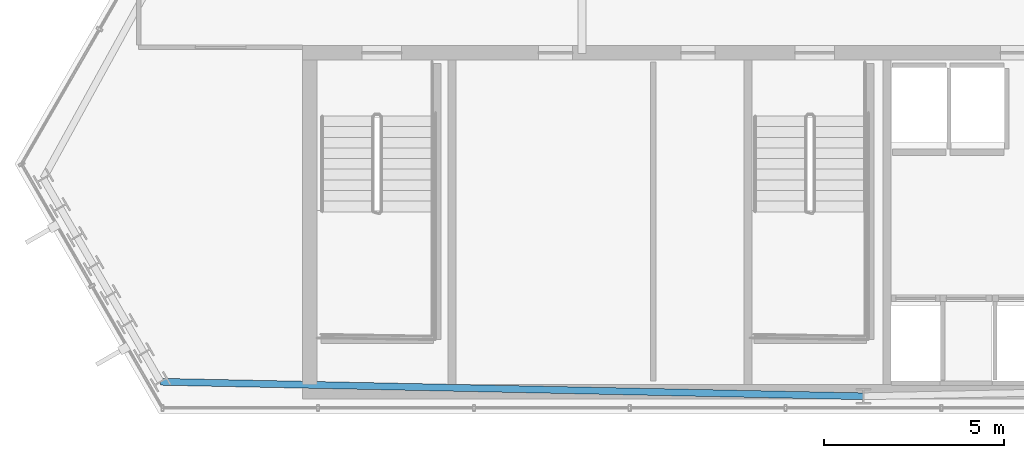
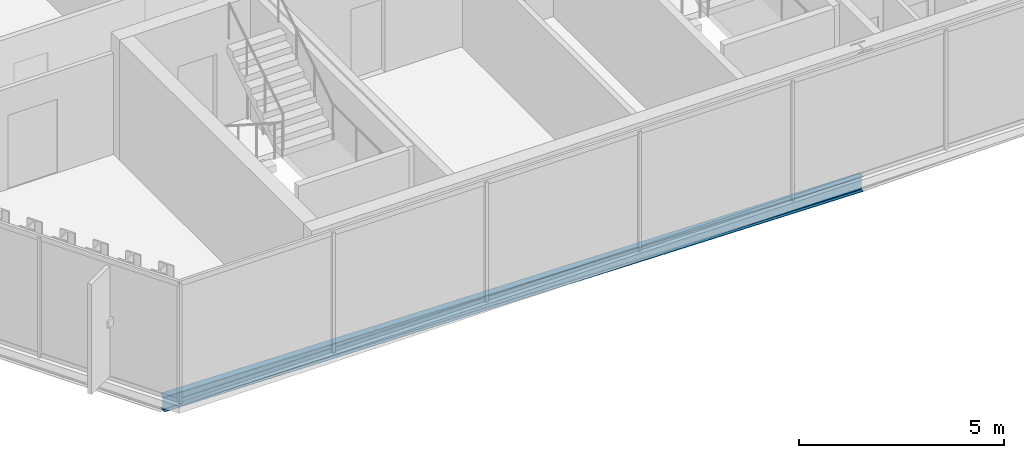
# One storey, part 3 of 30: 1 beam.
"""IFC4 building model written with IfcOpenShell, lengths in metres."""

import ifcopenshell
import ifcopenshell.guid

model = None  # the IFC model being written
_history = None  # IfcOwnerHistory: only IFC2X3 demands one
_inside = {}  # id of a spatial element -> (the spatial element, [elements in it])
_under = {}  # id of a project, library or spatial element -> (it, [spatial elements below it])
_declared = {}  # id of a project -> (the project, [libraries it declares])
_typed = {}  # id of a type object -> (the type object, [elements of that type])
_made_of = {}  # id of a material, layer set ... -> (it, [elements and type objects made of it])


def new_model(schema):
    """Start an empty IFC model of exactly this schema.

    Asked for "IFC4X3", IfcOpenShell would pick the latest addendum, in which some entities
    have other attributes; the version numbers below select the first issue.
    IFC2X3 requires an IfcOwnerHistory on every rooted entity: one is made here for all.
    """
    global model, _history
    if schema == "IFC4X3":
        model = ifcopenshell.file(schema_version=(4, 3, 0, 0))
    else:
        model = ifcopenshell.file(schema=schema)
    _inside.clear()
    _under.clear()
    _declared.clear()
    _typed.clear()
    _made_of.clear()
    _history = None
    if model.schema == "IFC2X3":
        org = make("IfcOrganization", Name="unknown")
        user = make(
            "IfcPersonAndOrganization",
            ThePerson=make("IfcPerson", FamilyName="unknown"),
            TheOrganization=org,
        )
        app = make(
            "IfcApplication",
            ApplicationDeveloper=org,
            Version="unknown",
            ApplicationFullName="unknown",
            ApplicationIdentifier="unknown",
        )
        _history = make(
            "IfcOwnerHistory",
            OwningUser=user,
            OwningApplication=app,
            ChangeAction="ADDED",
            CreationDate=0,
        )
    return model


def make(cls, **values):
    """One entity of the class cls with the attributes given. An attribute that is None is left unset."""
    return model.create_entity(
        cls, **{name: value for name, value in values.items() if value is not None}
    )


def rooted(cls, **values):
    """An entity with a GlobalId (a new one), such as an element, a storey or a relation."""
    return make(cls, GlobalId=ifcopenshell.guid.new(), OwnerHistory=_history, **values)


def si_unit(unit_type, name, prefix=None):
    """IfcSIUnit, for example si_unit("LENGTHUNIT", "METRE", prefix="MILLI")."""
    return make("IfcSIUnit", UnitType=unit_type, Prefix=prefix, Name=name)


def assignment(units):
    """IfcUnitAssignment: the units of a project."""
    return None if units is None else make("IfcUnitAssignment", Units=units)


def point(xyz):
    """IfcCartesianPoint."""
    return None if xyz is None else make("IfcCartesianPoint", Coordinates=xyz)


def direction(xyz):
    """IfcDirection."""
    return None if xyz is None else make("IfcDirection", DirectionRatios=xyz)


def frame(location, z_axis=None, x_axis=None):
    """IfcAxis2Placement3D, a coordinate frame: its origin and axes. An axis left out is left unset."""
    return make(
        "IfcAxis2Placement3D",
        Location=point(location),
        Axis=direction(z_axis),
        RefDirection=direction(x_axis),
    )


def frame_2d(location, x_axis=None):
    """IfcAxis2Placement2D, a coordinate frame in the plane: its origin and x axis."""
    return make(
        "IfcAxis2Placement2D", Location=point(location), RefDirection=direction(x_axis)
    )


def origin():
    """The frame at (0, 0, 0) with its axes left unset."""
    return frame((0.0, 0.0, 0.0))


def origin_2d():
    """The frame at (0, 0) in the plane with its x axis left unset."""
    return frame_2d((0.0, 0.0))


def place(relative_to, where):
    """IfcLocalPlacement: puts the frame where relative to a parent placement (None: the world)."""
    return make(
        "IfcLocalPlacement", PlacementRelTo=relative_to, RelativePlacement=where
    )


def context(
    kind, dimensions, precision=None, world=None, true_north=None, identifier=None
):
    """IfcGeometricRepresentationContext, for example the 3D "Model" context."""
    return make(
        "IfcGeometricRepresentationContext",
        ContextIdentifier=identifier,
        ContextType=kind,
        CoordinateSpaceDimension=dimensions,
        Precision=precision,
        WorldCoordinateSystem=world,
        TrueNorth=true_north,
    )


def subcontext(parent, identifier, kind, view, scale=None):
    """IfcGeometricRepresentationSubContext, for example "Body" below "Model"."""
    return make(
        "IfcGeometricRepresentationSubContext",
        ContextIdentifier=identifier,
        ContextType=kind,
        ParentContext=parent,
        TargetScale=scale,
        TargetView=view,
    )


def project(units=None, contexts=None):
    """IfcProject with its units and contexts."""
    return rooted(
        "IfcProject",
        Name="project",
        RepresentationContexts=contexts,
        UnitsInContext=assignment(units),
    )


def spatial(cls, under=None, at=None, **own):
    """A site, building, storey or space (cls), placed at a placement, below another one or the project."""
    s = rooted(cls, ObjectPlacement=at, **own)
    if under is not None:
        _under.setdefault(under.id(), (under, []))[1].append(s)
    return s


def profile(cls, at=None, kind="AREA", **sizes):
    """A parametric profile (cls). Its sizes go by their IFC names, for example OverallWidth=200.0."""
    return make(cls, ProfileType=kind, Position=at, **sizes)


def i_section(**sizes):
    """IfcIShapeProfileDef."""
    return profile("IfcIShapeProfileDef", **sizes)


def extrude(swept, where, along, depth):
    """IfcExtrudedAreaSolid: the profile swept, set in the frame where, extruded along a direction by depth."""
    return make(
        "IfcExtrudedAreaSolid",
        SweptArea=swept,
        Position=where,
        ExtrudedDirection=direction(along),
        Depth=depth,
    )


def shape(context_of_items, identifier, shape_type, items):
    """IfcShapeRepresentation: the items that make up one representation, for example the "Body"."""
    return make(
        "IfcShapeRepresentation",
        ContextOfItems=context_of_items,
        RepresentationIdentifier=identifier,
        RepresentationType=shape_type,
        Items=items,
    )


def material(Name=None, Category=None):
    """IfcMaterial."""
    return make("IfcMaterial", Name=Name, Category=Category)


def material_profile(
    of_material, cross_section, Name=None, Category=None, Priority=None
):
    """IfcMaterialProfile: a cross section and its material."""
    return make(
        "IfcMaterialProfile",
        Name=Name,
        Material=of_material,
        Profile=cross_section,
        Priority=Priority,
        Category=Category,
    )


def profile_set(profiles, Name=None, composite=None):
    """IfcMaterialProfileSet."""
    return make(
        "IfcMaterialProfileSet",
        Name=Name,
        MaterialProfiles=profiles,
        CompositeProfile=composite,
    )


def made_of(thing, what):
    """Note that an element or type object is made of a material, layer set ...; save() writes the relation."""
    if what is not None:
        _made_of.setdefault(what.id(), (what, []))[1].append(thing)
    return thing


def type_object(cls, material=None, **own):
    """A type object (cls), such as IfcWallType, which elements share."""
    return made_of(rooted(cls, **own), material)


def element(
    cls,
    number,
    at=None,
    inside=None,
    cuts=None,
    type_object=None,
    material=None,
    context=None,
    identifier="Body",
    shape_type=None,
    held_by="IfcProductDefinitionShape",
    body=None,
    shapes=None,
    **own,
):
    """One element of the class cls, such as IfcWall. Its Tag is "e" and its number.

    at: its placement. inside: the storey or other place that contains it. cuts: it is an
    opening in that element (IfcRelVoidsElement). A single representation is given by context,
    identifier, shape_type and body (its items); several are given by shapes. held_by: the class
    of the entity that holds the representations. save() writes the other relations.
    """
    e = rooted(cls, Tag="e%d" % number, ObjectPlacement=at, **own)
    if body is not None:
        shapes = [shape(context, identifier, shape_type, body)]
    if shapes is not None:
        e.Representation = make(held_by, Representations=shapes)
    if inside is not None:
        _inside.setdefault(inside.id(), (inside, []))[1].append(e)
    if cuts is not None:
        rooted(
            "IfcRelVoidsElement", RelatingBuildingElement=cuts, RelatedOpeningElement=e
        )
    if type_object is not None:
        _typed.setdefault(type_object.id(), (type_object, []))[1].append(e)
    return made_of(e, material)


def aggregate(whole, parts):
    """IfcRelAggregates: a whole, such as a stair, and the parts it consists of."""
    return rooted("IfcRelAggregates", RelatingObject=whole, RelatedObjects=parts)


def save(model, path):
    """Write the relations noted so far, then the file.

    IfcRelAggregates (storeys below a building ...), IfcRelContainedInSpatialStructure (elements
    in a storey), IfcRelDefinesByType, IfcRelAssociatesMaterial and IfcRelDeclares: one each for
    every whole, place, type object, material and project.
    """
    for whole, parts in _under.values():
        aggregate(whole, parts)
    for where, things in _inside.values():
        rooted(
            "IfcRelContainedInSpatialStructure",
            RelatedElements=things,
            RelatingStructure=where,
        )
    for kind, things in _typed.values():
        rooted("IfcRelDefinesByType", RelatedObjects=things, RelatingType=kind)
    for what, things in _made_of.values():
        rooted("IfcRelAssociatesMaterial", RelatedObjects=things, RelatingMaterial=what)
    for by, libraries in _declared.values():
        rooted("IfcRelDeclares", RelatingContext=by, RelatedDefinitions=libraries)
    model.write(path)


model = new_model("IFC4")

# Units and contexts
model_context = context("Model", 3, precision=1e-05, world=origin(), true_north=direction((0.0, 1.0)))
body_context = subcontext(model_context, "Body", "Model", "MODEL_VIEW")
ifc_project = project(units=[si_unit("LENGTHUNIT", "METRE"), si_unit("AREAUNIT", "SQUARE_METRE"), si_unit("VOLUMEUNIT", "CUBIC_METRE"), si_unit("PLANEANGLEUNIT", "RADIAN"), si_unit("MASSUNIT", "GRAM", prefix="KILO")], contexts=[model_context])

# Site, building, storey
site_placement = place(None, origin())
site = spatial("IfcSite", under=ifc_project, at=site_placement, CompositionType="ELEMENT")
building_placement = place(site_placement, origin())
building = spatial("IfcBuilding", under=site, at=building_placement, Name="Ndaravel Arena Tower", CompositionType="ELEMENT")
storey_placement = place(building_placement, frame((0.0, 0.0, 221.800048828125)))
storey = spatial("IfcBuildingStorey", under=building, at=storey_placement, Name="L53", CompositionType="ELEMENT", Elevation=221.800048828125)

# Beam
ifc_material = material(Name="Steel S355", Category="steel")
ifc_material_profile = material_profile(ifc_material, i_section(OverallWidth=0.18994140625, OverallDepth=0.449951171875, WebThickness=0.009521484375, FlangeThickness=0.0146484375, FilletRadius=0.02099609375, at=origin_2d()), Name="IPE 450")
ifc_profile_set = profile_set([ifc_material_profile], Name="Steel S355")
beam_type = type_object("IfcBeamType", Name="BM-SPAN-IPE450", PredefinedType="SPANDREL", material=ifc_profile_set)
beam_placement = place(storey_placement, frame((22.51904296875, 5.88232421875, -0.445068359375), z_axis=(0.999786791244, -0.020648778504, 0.0), x_axis=(0.020648778504, 0.999786791244, 0.0)))
element("IfcBeam", 1, at=beam_placement, inside=storey, type_object=beam_type, Name="L53 Perimeter Spandrel Beam SP-27", PredefinedType="SPANDREL", context=body_context, shape_type="SweptSolid", body=[
    extrude(i_section(OverallWidth=0.18994140625, OverallDepth=0.449951171875, WebThickness=0.009521484375, FlangeThickness=0.0146484375, FilletRadius=0.02099609375, at=origin_2d()), origin(), (0.0, 0.0, 1.0), 19.485107421875),
])

save(model, "model.ifc")
